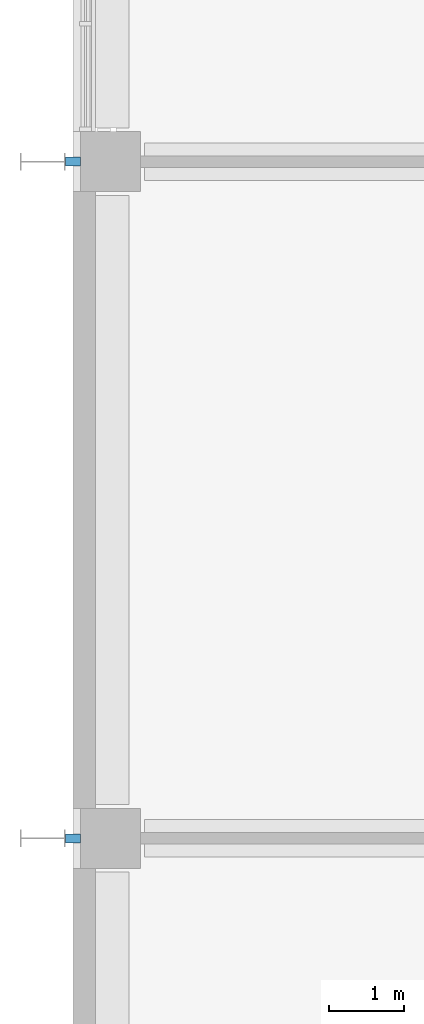
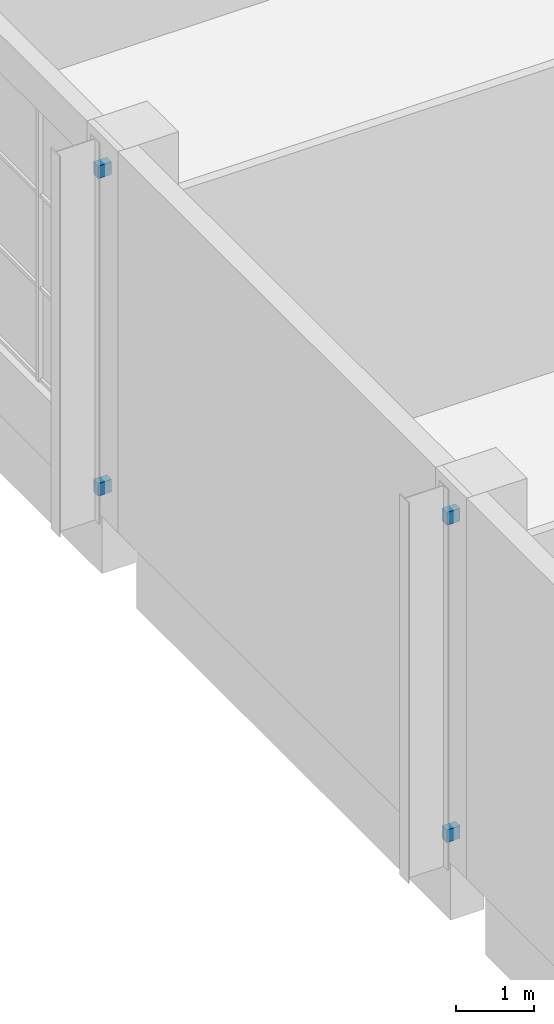
# One storey, part 59 of 89: 4 discrete accessories.
"""IFC4 building model written with IfcOpenShell, lengths in metres."""

from ifc_helpers import new_model, si_unit, direction, frame, origin, origin_2d, place, context, subcontext, project, spatial, rectangle, extrude, material, type_object, element, save


model = new_model("IFC4")

# Units and contexts
model_context = context("Model", 3, precision=1e-05, world=origin(), true_north=direction((0.0, 1.0)))
body_context = subcontext(model_context, "Body", "Model", "MODEL_VIEW")
ifc_project = project(units=[si_unit("LENGTHUNIT", "METRE"), si_unit("AREAUNIT", "SQUARE_METRE"), si_unit("VOLUMEUNIT", "CUBIC_METRE"), si_unit("PLANEANGLEUNIT", "RADIAN"), si_unit("MASSUNIT", "GRAM", prefix="KILO")], contexts=[model_context])

# Site, building, storey
site_placement = place(None, origin())
site = spatial("IfcSite", under=ifc_project, at=site_placement, CompositionType="ELEMENT")
building_placement = place(site_placement, origin())
building = spatial("IfcBuilding", under=site, at=building_placement, Name="Silverbay Arena", CompositionType="ELEMENT")
storey_placement = place(building_placement, frame((0.0, 0.0, 22.0)))
storey = spatial("IfcBuildingStorey", under=building, at=storey_placement, Name="L03", CompositionType="ELEMENT", Elevation=22.0)

# Discrete accessories
ifc_material = material(Name="Steel S355", Category="steel")
discrete_accessory_type = type_object("IfcDiscreteAccessoryType", Name="Steel bracket plate", PredefinedType="BRACKET", material=ifc_material)
for number, where, z_axis, x_axis, name in (
    (1, (53.5, 117.0, 0.39990234375), (0.0, 0.0, 1.0), (1.0, 0.0, 0.0), "Fin bracket"),
    (2, (53.5, 117.0, 5.39990234375), (0.0, 0.0, 1.0), (1.0, 0.0, 0.0), "Fin bracket"),
    (3, (53.5, 126.0, 0.39990234375), (0.0, 0.0, 1.0), (1.0, 0.0, 0.0), "Fin bracket"),
    (4, (53.5, 126.0, 5.39990234375), (0.0, 0.0, 1.0), (1.0, 0.0, 0.0), "Fin bracket"),
):
    element("IfcDiscreteAccessory", number, at=place(storey_placement, frame(where, z_axis=z_axis, x_axis=x_axis)), inside=storey, type_object=discrete_accessory_type, Name=name, PredefinedType="BRACKET", context=body_context, shape_type="SweptSolid", body=[
        extrude(rectangle(XDim=0.199951171875, YDim=0.1201171875, at=origin_2d()), origin(), (0.0, 0.0, 1.0), 0.199951171875),
    ])

save(model, "model.ifc")
